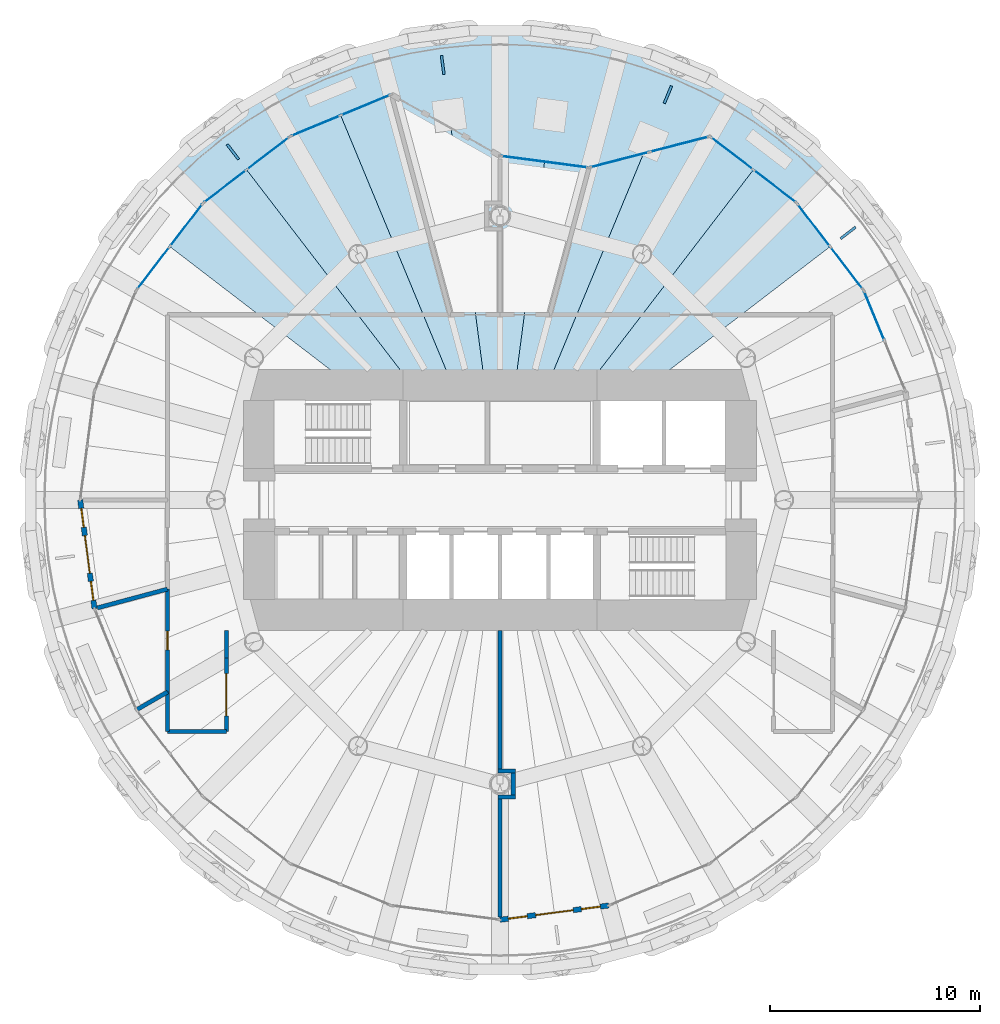
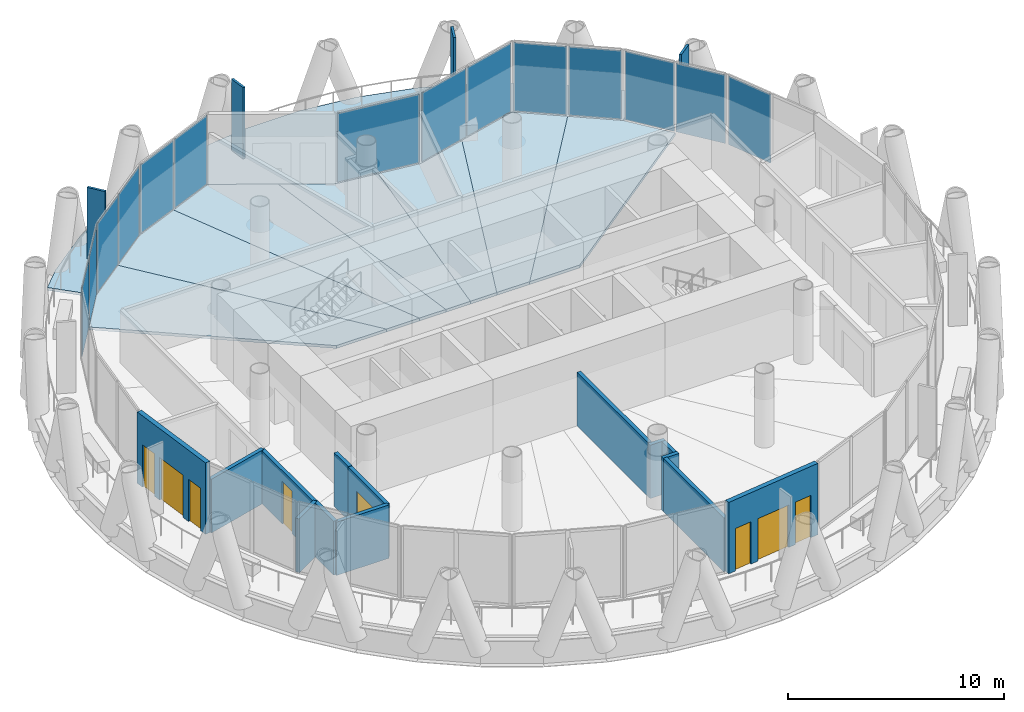
# One storey, part 8 of 14: 18 plates, 14 walls, 8 slabs, 4 doors, 4 windows, 8 openings, 8 elements without a shape of their own.
"""IFC4 building model written with IfcOpenShell, lengths in metres."""

from ifc_helpers import new_model, si_unit, direction, frame, frame_2d, origin, origin_2d, place, context, subcontext, project, spatial, polyline, rectangle, outline, extrude, material, layer, layer_set, type_object, element, fill, aggregate, save


model = new_model("IFC4")

# Units and contexts
model_context = context("Model", 3, precision=1e-05, world=origin(), true_north=direction((0.0, 1.0)))
body_context = subcontext(model_context, "Body", "Model", "MODEL_VIEW")
ifc_project = project(units=[si_unit("LENGTHUNIT", "METRE"), si_unit("AREAUNIT", "SQUARE_METRE"), si_unit("VOLUMEUNIT", "CUBIC_METRE"), si_unit("PLANEANGLEUNIT", "RADIAN"), si_unit("MASSUNIT", "GRAM", prefix="KILO")], contexts=[model_context])

# Site, building, storey
site_placement = place(None, origin())
site = spatial("IfcSite", under=ifc_project, at=site_placement, CompositionType="ELEMENT")
building_placement = place(site_placement, origin())
building = spatial("IfcBuilding", under=site, at=building_placement, Name="Qaws Media Tower", CompositionType="ELEMENT")
storey_placement = place(building_placement, frame((0.0, 0.0, 248.60009765625)))
storey = spatial("IfcBuildingStorey", under=building, at=storey_placement, Name="L57", CompositionType="ELEMENT", Elevation=248.60009765625)

# Slabs
ifc_material_1 = material(Name="Concrete C35/45", Category="concrete")
ifc_layer_1 = layer(ifc_material_1, 0.159912109375)
ifc_layer_set_1 = layer_set([ifc_layer_1], Name="Composite balcony slab 160")
slab_type_1 = type_object("IfcSlabType", Name="Composite balcony slab 160", PredefinedType="FLOOR", material=ifc_layer_set_1)
slab_1_placement = place(storey_placement, frame((0.0, 0.0, -0.16015625)))
element("IfcSlab", 1, at=slab_1_placement, inside=storey, type_object=slab_type_1, Name="S2 balcony slab L57 R04 to R10, movement joints on R04 and R10", PredefinedType="FLOOR", context=body_context, shape_type="SweptSolid", body=[
    extrude(outline(polyline([(45.263671875, 66.8037109375), (47.5830078125, 68.583251953125), (50.11474609375, 70.045166015625), (52.81591796875, 71.163818359375), (55.6396484375, 71.920654296875), (58.5380859375, 72.302001953125), (61.4619140625, 72.302001953125), (64.3603515625, 71.920654296875), (67.18408203125, 71.163818359375), (69.88525390625, 70.045166015625), (72.4169921875, 68.583251953125), (74.736328125, 66.8037109375), (75.77001953125, 65.77001953125), (74.106689453125, 64.106689453125), (69.97509765625, 67.277099609375), (64.231689453125, 65.79296875), (60.0, 66.35009765625), (54.836669921875, 69.270263671875), (50.02490234375, 67.277099609375), (45.893310546875, 64.106689453125), (44.22998046875, 65.77001953125), (45.263671875, 66.8037109375)])), origin(), (0.0, 0.0, 1.0), 0.16015625),
])
ifc_material_2 = material(Name="Concrete C35/45", Category="concrete")
ifc_layer_2 = layer(ifc_material_2, 0.159912109375)
ifc_layer_set_2 = layer_set([ifc_layer_2], Name="Composite floor slab 160")
slab_type_2 = type_object("IfcSlabType", Name="Composite floor slab 160", PredefinedType="FLOOR", material=ifc_layer_set_2)
slab_2_placement = place(storey_placement, frame((0.0, 0.0, -0.16015625)))
element("IfcSlab", 2, at=slab_2_placement, inside=storey, type_object=slab_type_2, Name="S1 floor panel L57 on R04", PredefinedType="FLOOR", context=body_context, shape_type="SweptSolid", body=[
    extrude(outline(polyline([(74.106689453125, 64.106689453125), (75.69189453125, 62.041015625), (66.51611328125, 55.0), (63.836669921875, 55.0), (72.041015625, 65.69189453125), (74.106689453125, 64.106689453125)])), origin(), (0.0, 0.0, 1.0), 0.16015625),
])
slab_3_placement = place(storey_placement, frame((0.0, 0.0, -0.16015625)))
element("IfcSlab", 3, at=slab_3_placement, inside=storey, type_object=slab_type_2, Name="S1 floor panel L57 on R05", PredefinedType="FLOOR", context=body_context, shape_type="SweptSolid", body=[
    extrude(outline(polyline([(69.97509765625, 67.277099609375), (72.041015625, 65.69189453125), (63.836669921875, 55.0), (62.071044921875, 55.0), (66.818603515625, 66.46142578125), (69.97509765625, 67.277099609375)])), origin(), (0.0, 0.0, 1.0), 0.16015625),
])
slab_4_placement = place(storey_placement, frame((0.0, 0.0, -0.16015625)))
element("IfcSlab", 4, at=slab_4_placement, inside=storey, type_object=slab_type_2, Name="S1 floor panel L57 on R06", PredefinedType="FLOOR", context=body_context, shape_type="SweptSolid", body=[
    extrude(outline(polyline([(64.231689453125, 65.79296875), (66.818603515625, 66.46142578125), (62.071044921875, 55.0), (60.658203125, 55.0), (62.11572265625, 66.0712890625), (64.231689453125, 65.79296875)])), origin(), (0.0, 0.0, 1.0), 0.16015625),
])
slab_5_placement = place(storey_placement, frame((0.0, 0.0, -0.16015625)))
element("IfcSlab", 5, at=slab_5_placement, inside=storey, type_object=slab_type_2, Name="S1 floor panel L57 on R07", PredefinedType="FLOOR", context=body_context, shape_type="SweptSolid", body=[
    extrude(outline(polyline([(60.0, 66.35009765625), (62.11572265625, 66.0712890625), (60.658203125, 55.0), (59.341796875, 55.0), (57.67431640625, 67.665283203125), (60.0, 66.35009765625)])), origin(), (0.0, 0.0, 1.0), 0.16015625),
])
slab_6_placement = place(storey_placement, frame((0.0, 0.0, -0.16015625)))
element("IfcSlab", 6, at=slab_6_placement, inside=storey, type_object=slab_type_2, Name="S1 floor panel L57 on R08", PredefinedType="FLOOR", context=body_context, shape_type="SweptSolid", body=[
    extrude(outline(polyline([(54.836669921875, 69.270263671875), (57.67431640625, 67.665283203125), (59.341796875, 55.0), (57.928955078125, 55.0), (52.430908203125, 68.273681640625), (54.836669921875, 69.270263671875)])), origin(), (0.0, 0.0, 1.0), 0.16015625),
])
slab_7_placement = place(storey_placement, frame((0.0, 0.0, -0.16015625)))
element("IfcSlab", 7, at=slab_7_placement, inside=storey, type_object=slab_type_2, Name="S1 floor panel L57 on R09", PredefinedType="FLOOR", context=body_context, shape_type="SweptSolid", body=[
    extrude(outline(polyline([(50.02490234375, 67.277099609375), (52.430908203125, 68.273681640625), (57.928955078125, 55.0), (56.163330078125, 55.0), (47.958984375, 65.69189453125), (50.02490234375, 67.277099609375)])), origin(), (0.0, 0.0, 1.0), 0.16015625),
])
slab_8_placement = place(storey_placement, frame((0.0, 0.0, -0.16015625)))
element("IfcSlab", 8, at=slab_8_placement, inside=storey, type_object=slab_type_2, Name="S1 floor panel L57 on R10", PredefinedType="FLOOR", context=body_context, shape_type="SweptSolid", body=[
    extrude(outline(polyline([(45.893310546875, 64.106689453125), (47.958984375, 65.69189453125), (56.163330078125, 55.0), (53.48388671875, 55.0), (44.30810546875, 62.041015625), (45.893310546875, 64.106689453125)])), origin(), (0.0, 0.0, 1.0), 0.16015625),
])

# Curtain wall, plate
ifc_material_3 = material(Name="Aluminium and clear glass", Category="aluminium")
curtain_wall_type_1 = type_object("IfcCurtainWallType", Name="Unitised curtain wall CW-C", PredefinedType="NOTDEFINED", material=ifc_material_3)
curtain_wall_1_placement = place(storey_placement, origin())
curtain_wall_1 = element("IfcCurtainWall", 9, at=curtain_wall_1_placement, inside=storey, type_object=curtain_wall_type_1, Name="CWC curtain wall L57-02", PredefinedType="NOTDEFINED")
ifc_material_4 = material(Name="Clear laminated double glazing", Category="glass")
ifc_layer_3 = layer(ifc_material_4, 0.031982421875)
ifc_layer_set_3 = layer_set([ifc_layer_3], Name="Curtain wall glass unit 32")
plate_type_1 = type_object("IfcPlateType", Name="Curtain wall glass unit 32", PredefinedType="CURTAIN_PANEL", material=ifc_layer_set_3)
plate_1_placement = place(storey_placement, frame((77.783203125, 58.753662109375, 0.080078125), z_axis=(0.0, 0.0, 1.0), x_axis=(-0.382683365464, 0.923879560223, 0.0)))
plate_1 = element("IfcPlate", 10, at=plate_1_placement, type_object=plate_type_1, Name="CWC panel 2.1", PredefinedType="CURTAIN_PANEL", context=body_context, shape_type="SweptSolid", body=[
    extrude(rectangle(XDim=2.48388671875, YDim=0.031982421875, at=origin_2d()), origin(), (0.0, 0.0, 1.0), 3.8798828125),
])
aggregate(curtain_wall_1, [plate_1])

# Curtain wall, plates
curtain_wall_2_placement = place(storey_placement, origin())
curtain_wall_2 = element("IfcCurtainWall", 11, at=curtain_wall_2_placement, inside=storey, type_object=curtain_wall_type_1, Name="CWC curtain wall L57-03", PredefinedType="NOTDEFINED")
plate_2_placement = place(storey_placement, frame((76.472412109375, 61.02392578125, 0.080078125), z_axis=(0.0, 0.0, 1.0), x_axis=(-0.608761513321, 0.793353275596, 0.0)))
plate_2 = element("IfcPlate", 12, at=plate_2_placement, type_object=plate_type_1, Name="CWC panel 1.1", PredefinedType="CURTAIN_PANEL", context=body_context, shape_type="SweptSolid", body=[
    extrude(rectangle(XDim=2.48388671875, YDim=0.031982421875, at=origin_2d()), origin(), (0.0, 0.0, 1.0), 3.8798828125),
])
plate_3_placement = place(storey_placement, frame((74.91162109375, 63.057861328125, 0.080078125), z_axis=(0.0, 0.0, 1.0), x_axis=(-0.608761513321, 0.793353275596, 0.0)))
plate_3 = element("IfcPlate", 13, at=plate_3_placement, type_object=plate_type_1, Name="CWC panel 2.1", PredefinedType="CURTAIN_PANEL", context=body_context, shape_type="SweptSolid", body=[
    extrude(rectangle(XDim=2.48388671875, YDim=0.031982421875, at=origin_2d()), origin(), (0.0, 0.0, 1.0), 3.8798828125),
])
aggregate(curtain_wall_2, [plate_2, plate_3])

curtain_wall_3_placement = place(storey_placement, origin())
curtain_wall_3 = element("IfcCurtainWall", 14, at=curtain_wall_3_placement, inside=storey, type_object=curtain_wall_type_1, Name="CWC curtain wall L57-04", PredefinedType="NOTDEFINED")
plate_4_placement = place(storey_placement, frame((73.057861328125, 64.91162109375, 0.080078125), z_axis=(0.0, 0.0, 1.0), x_axis=(-0.793353275596, 0.608761513321, 0.0)))
plate_4 = element("IfcPlate", 15, at=plate_4_placement, type_object=plate_type_1, Name="CWC panel 1.1", PredefinedType="CURTAIN_PANEL", context=body_context, shape_type="SweptSolid", body=[
    extrude(rectangle(XDim=2.48388671875, YDim=0.031982421875, at=origin_2d()), origin(), (0.0, 0.0, 1.0), 3.8798828125),
])
plate_5_placement = place(storey_placement, frame((71.02392578125, 66.472412109375, 0.080078125), z_axis=(0.0, 0.0, 1.0), x_axis=(-0.793353275596, 0.608761513321, 0.0)))
plate_5 = element("IfcPlate", 16, at=plate_5_placement, type_object=plate_type_1, Name="CWC panel 2.1", PredefinedType="CURTAIN_PANEL", context=body_context, shape_type="SweptSolid", body=[
    extrude(rectangle(XDim=2.48388671875, YDim=0.031982421875, at=origin_2d()), origin(), (0.0, 0.0, 1.0), 3.8798828125),
])
aggregate(curtain_wall_3, [plate_4, plate_5])

ifc_material_5 = material(Name="Aluminium and clear glass", Category="aluminium")
curtain_wall_type_2 = type_object("IfcCurtainWallType", Name="Loggia curtain wall CW-G", PredefinedType="NOTDEFINED", material=ifc_material_5)
curtain_wall_4_placement = place(storey_placement, origin())
curtain_wall_4 = element("IfcCurtainWall", 17, at=curtain_wall_4_placement, inside=storey, type_object=curtain_wall_type_2, Name="CWG curtain wall L57-05", PredefinedType="NOTDEFINED")
plate_6_placement = place(storey_placement, frame((68.519775390625, 66.901123046875, 0.080078125), z_axis=(0.0, 0.0, 1.0), x_axis=(-0.968188519883, -0.25022188147, 0.0)))
plate_6 = element("IfcPlate", 18, at=plate_6_placement, type_object=plate_type_1, Name="CWG panel 1.1", PredefinedType="CURTAIN_PANEL", context=body_context, shape_type="SweptSolid", body=[
    extrude(rectangle(XDim=2.845947265625, YDim=0.031982421875, at=origin_2d()), origin(), (0.0, 0.0, 1.0), 3.8798828125),
])
plate_7_placement = place(storey_placement, frame((65.686767578125, 66.1689453125, 0.080078125), z_axis=(0.0, 0.0, 1.0), x_axis=(-0.968188519883, -0.25022188147, 0.0)))
plate_7 = element("IfcPlate", 19, at=plate_7_placement, type_object=plate_type_1, Name="CWG panel 2.1", PredefinedType="CURTAIN_PANEL", context=body_context, shape_type="SweptSolid", body=[
    extrude(rectangle(XDim=2.845947265625, YDim=0.031982421875, at=origin_2d()), origin(), (0.0, 0.0, 1.0), 3.8798828125),
])
aggregate(curtain_wall_4, [plate_6, plate_7])

# Curtain wall, plate
curtain_wall_5_placement = place(storey_placement, origin())
curtain_wall_5 = element("IfcCurtainWall", 20, at=curtain_wall_5_placement, inside=storey, type_object=curtain_wall_type_2, Name="CWG curtain wall L57-06", PredefinedType="NOTDEFINED")
plate_8_placement = place(storey_placement, frame((62.115966796875, 66.071533203125, 0.080078125), z_axis=(0.0, 0.0, 1.0), x_axis=(-0.991444851949, 0.130526263807, 0.0)))
plate_8 = element("IfcPlate", 21, at=plate_8_placement, type_object=plate_type_1, Name="CWG panel 1.1", PredefinedType="CURTAIN_PANEL", context=body_context, shape_type="SweptSolid", body=[
    extrude(rectangle(XDim=4.108154296875, YDim=0.031982421875, at=origin_2d()), origin(), (0.0, 0.0, 1.0), 3.8798828125),
])
aggregate(curtain_wall_5, [plate_8])

# Curtain wall, plates
curtain_wall_6_placement = place(storey_placement, origin())
curtain_wall_6 = element("IfcCurtainWall", 22, at=curtain_wall_6_placement, inside=storey, type_object=curtain_wall_type_1, Name="CWC curtain wall L57-08", PredefinedType="NOTDEFINED")
plate_9_placement = place(storey_placement, frame((53.615234375, 68.764404296875, 0.080078125), z_axis=(0.0, 0.0, 1.0), x_axis=(-0.923879560223, -0.382683365464, 0.0)))
plate_9 = element("IfcPlate", 23, at=plate_9_placement, type_object=plate_type_1, Name="CWC panel 1.1", PredefinedType="CURTAIN_PANEL", context=body_context, shape_type="SweptSolid", body=[
    extrude(rectangle(XDim=2.48388671875, YDim=0.031982421875, at=origin_2d()), origin(), (0.0, 0.0, 1.0), 3.8798828125),
])
plate_10_placement = place(storey_placement, frame((51.246337890625, 67.783203125, 0.080078125), z_axis=(0.0, 0.0, 1.0), x_axis=(-0.923879560223, -0.382683365464, 0.0)))
plate_10 = element("IfcPlate", 24, at=plate_10_placement, type_object=plate_type_1, Name="CWC panel 2.1", PredefinedType="CURTAIN_PANEL", context=body_context, shape_type="SweptSolid", body=[
    extrude(rectangle(XDim=2.48388671875, YDim=0.031982421875, at=origin_2d()), origin(), (0.0, 0.0, 1.0), 3.8798828125),
])
aggregate(curtain_wall_6, [plate_9, plate_10])

curtain_wall_7_placement = place(storey_placement, origin())
curtain_wall_7 = element("IfcCurtainWall", 25, at=curtain_wall_7_placement, inside=storey, type_object=curtain_wall_type_1, Name="CWC curtain wall L57-09", PredefinedType="NOTDEFINED")
plate_11_placement = place(storey_placement, frame((48.97607421875, 66.472412109375, 0.080078125), z_axis=(0.0, 0.0, 1.0), x_axis=(-0.793353275596, -0.608761513321, 0.0)))
plate_11 = element("IfcPlate", 26, at=plate_11_placement, type_object=plate_type_1, Name="CWC panel 1.1", PredefinedType="CURTAIN_PANEL", context=body_context, shape_type="SweptSolid", body=[
    extrude(rectangle(XDim=2.48388671875, YDim=0.031982421875, at=origin_2d()), origin(), (0.0, 0.0, 1.0), 3.8798828125),
])
plate_12_placement = place(storey_placement, frame((46.942138671875, 64.91162109375, 0.080078125), z_axis=(0.0, 0.0, 1.0), x_axis=(-0.793353275596, -0.608761513321, 0.0)))
plate_12 = element("IfcPlate", 27, at=plate_12_placement, type_object=plate_type_1, Name="CWC panel 2.1", PredefinedType="CURTAIN_PANEL", context=body_context, shape_type="SweptSolid", body=[
    extrude(rectangle(XDim=2.48388671875, YDim=0.031982421875, at=origin_2d()), origin(), (0.0, 0.0, 1.0), 3.8798828125),
])
aggregate(curtain_wall_7, [plate_11, plate_12])

curtain_wall_8_placement = place(storey_placement, origin())
curtain_wall_8 = element("IfcCurtainWall", 28, at=curtain_wall_8_placement, inside=storey, type_object=curtain_wall_type_1, Name="CWC curtain wall L57-10", PredefinedType="NOTDEFINED")
plate_13_placement = place(storey_placement, frame((45.08837890625, 63.057861328125, 0.080078125), z_axis=(0.0, 0.0, 1.0), x_axis=(-0.608761513321, -0.793353275596, 0.0)))
plate_13 = element("IfcPlate", 29, at=plate_13_placement, type_object=plate_type_1, Name="CWC panel 1.1", PredefinedType="CURTAIN_PANEL", context=body_context, shape_type="SweptSolid", body=[
    extrude(rectangle(XDim=2.48388671875, YDim=0.031982421875, at=origin_2d()), origin(), (0.0, 0.0, 1.0), 3.8798828125),
])
plate_14_placement = place(storey_placement, frame((43.527587890625, 61.02392578125, 0.080078125), z_axis=(0.0, 0.0, 1.0), x_axis=(-0.608761513321, -0.793353275596, 0.0)))
plate_14 = element("IfcPlate", 30, at=plate_14_placement, type_object=plate_type_1, Name="CWC panel 2.1", PredefinedType="CURTAIN_PANEL", context=body_context, shape_type="SweptSolid", body=[
    extrude(rectangle(XDim=2.48388671875, YDim=0.031982421875, at=origin_2d()), origin(), (0.0, 0.0, 1.0), 3.8798828125),
])
aggregate(curtain_wall_8, [plate_13, plate_14])

# Plates
ifc_material_6 = material(Name="Precast concrete screen fin", Category="concrete")
ifc_layer_4 = layer(ifc_material_6, 0.1201171875)
ifc_layer_set_4 = layer_set([ifc_layer_4], Name="Screen fin 120x900")
plate_type_2 = type_object("IfcPlateType", Name="Screen fin 120x900", PredefinedType="USERDEFINED", material=ifc_layer_set_4)
for number, where, z_axis, x_axis, name in (
    (31, (76.54150390625, 62.692626953125, 0.0), (0.0, 0.0, 1.0), (0.793353340291, 0.608761429009, 0.0), "SCR1 screen fin L57-02"),
    (32, (67.97900390625, 69.262939453125, 0.0), (0.0, 0.0, 1.0), (0.382683432365, 0.923879532511, 0.0), "SCR1 screen fin L57-03"),
    (33, (57.278564453125, 70.671630859375, 0.0), (0.0, 0.0, 1.0), (-0.13052619222, 0.991444861374, 0.0), "SCR1 screen fin L57-04"),
    (34, (47.307373046875, 66.54150390625, 0.0), (0.0, 0.0, 1.0), (-0.608761429009, 0.793353340291, 0.0), "SCR1 screen fin L57-05"),
):
    element("IfcPlate", number, at=place(storey_placement, frame(where, z_axis=z_axis, x_axis=x_axis)), inside=storey, type_object=plate_type_2, Name=name, ObjectType="SCREEN", PredefinedType="USERDEFINED", context=body_context, shape_type="SweptSolid", body=[
        extrude(rectangle(XDim=0.89990234375, YDim=0.1201171875, at=origin_2d()), origin(), (0.0, 0.0, 1.0), 4.0400390625),
    ])

# Wall, openings, door, windows
ifc_material_7 = material(Name="Precast concrete, exposed finish", Category="concrete")
ifc_layer_5 = layer(ifc_material_7, 0.25)
ifc_layer_set_5 = layer_set([ifc_layer_5], Name="Balcony door wall 250")
wall_type_1 = type_object("IfcWallType", Name="Balcony door wall 250", PredefinedType="SOLIDWALL", material=ifc_layer_set_5)
wall_1_placement = place(storey_placement, frame((40.050048828125, 50.0, 0.0), z_axis=(0.0, 0.0, 1.0), x_axis=(0.130511507681, -0.991446794519, 0.0)))
wall_1 = element("IfcWall", 35, at=wall_1_placement, inside=storey, type_object=wall_type_1, Name="W264 EW1 balcony door wall L57-13", PredefinedType="SOLIDWALL", context=body_context, shape_type="SweptSolid", body=[
    extrude(rectangle(XDim=5.207763671875, YDim=0.25, at=frame_2d((2.60400390625, 0.0))), origin(), (0.0, 0.0, 1.0), 4.039794921875),
])
opening_1_placement = place(wall_1_placement, frame((1.7041015625, 0.0, 0.0)))
opening_1 = element("IfcOpeningElement", 36, at=opening_1_placement, cuts=wall_1, Name="Opening D7", PredefinedType="OPENING", context=body_context, shape_type="SweptSolid", body=[
    extrude(rectangle(XDim=1.800048828125, YDim=2.39990234375, at=frame_2d((0.89990234375, 1.199951171875))), frame((0.0, 0.135009765625, 0.0), z_axis=(0.0, -1.0, 0.0), x_axis=(1.0, 0.0, 0.0)), (0.0, 0.0, 1.0), 0.27001953125),
])
opening_2_placement = place(wall_1_placement, frame((0.404052734375, 0.0, 0.0)))
opening_2 = element("IfcOpeningElement", 37, at=opening_2_placement, cuts=wall_1, Name="Opening W7", PredefinedType="OPENING", context=body_context, shape_type="SweptSolid", body=[
    extrude(rectangle(XDim=0.89990234375, YDim=2.39990234375, at=frame_2d((0.449951171875, 1.199951171875))), frame((0.0, 0.135009765625, 0.0), z_axis=(0.0, -1.0, 0.0), x_axis=(1.0, 0.0, 0.0)), (0.0, 0.0, 1.0), 0.27001953125),
])
opening_3_placement = place(wall_1_placement, frame((3.904052734375, 0.0, 0.0)))
opening_3 = element("IfcOpeningElement", 38, at=opening_3_placement, cuts=wall_1, Name="Opening W7", PredefinedType="OPENING", context=body_context, shape_type="SweptSolid", body=[
    extrude(rectangle(XDim=0.89990234375, YDim=2.39990234375, at=frame_2d((0.449951171875, 1.199951171875))), frame((0.0, 0.135009765625, 0.0), z_axis=(0.0, -1.0, 0.0), x_axis=(1.0, 0.0, 0.0)), (0.0, 0.0, 1.0), 0.27001953125),
])
ifc_material_8 = material(Name="Aluminium and clear glass", Category="aluminium")
door_type_1 = type_object("IfcDoorType", Name="Balcony door pair 1800", OperationType="DOUBLE_DOOR_SLIDING", PredefinedType="DOOR", material=ifc_material_8)
door_1_placement = place(opening_1_placement, origin())
door_1 = element("IfcDoor", 39, at=door_1_placement, inside=storey, type_object=door_type_1, Name="D7 balcony door L57-13 in wall W264", OperationType="DOUBLE_DOOR_SLIDING", OverallHeight=2.39990234375, OverallWidth=1.800048828125, PredefinedType="DOOR", context=body_context, shape_type="SweptSolid", body=[
    extrude(rectangle(XDim=1.800048828125, YDim=2.39990234375, at=frame_2d((0.89990234375, 1.199951171875))), frame((0.0, 0.02490234375, 0.0), z_axis=(0.0, -1.0, 0.0), x_axis=(1.0, 0.0, 0.0)), (0.0, 0.0, 1.0), 0.050048828125),
])
fill(opening_1, door_1)
ifc_material_9 = material(Name="Aluminium and clear glass", Category="aluminium")
window_type = type_object("IfcWindowType", Name="Balcony side window 900", PartitioningType="SINGLE_PANEL", PredefinedType="WINDOW", material=ifc_material_9)
window_1_placement = place(opening_2_placement, origin())
window_1 = element("IfcWindow", 40, at=window_1_placement, inside=storey, type_object=window_type, Name="W1 balcony side light L57-13L", OverallHeight=2.39990234375, OverallWidth=0.89990234375, PartitioningType="SINGLE_PANEL", PredefinedType="WINDOW", context=body_context, shape_type="SweptSolid", body=[
    extrude(rectangle(XDim=0.89990234375, YDim=2.39990234375, at=frame_2d((0.449951171875, 1.199951171875))), frame((0.0, 0.030029296875, 0.0), z_axis=(0.0, -1.0, 0.0), x_axis=(1.0, 0.0, 0.0)), (0.0, 0.0, 1.0), 0.06005859375),
])
fill(opening_2, window_1)
window_2_placement = place(opening_3_placement, origin())
window_2 = element("IfcWindow", 41, at=window_2_placement, inside=storey, type_object=window_type, Name="W1 balcony side light L57-13R", OverallHeight=2.39990234375, OverallWidth=0.89990234375, PartitioningType="SINGLE_PANEL", PredefinedType="WINDOW", context=body_context, shape_type="SweptSolid", body=[
    extrude(rectangle(XDim=0.89990234375, YDim=2.39990234375, at=frame_2d((0.449951171875, 1.199951171875))), frame((0.0, 0.030029296875, 0.0), z_axis=(0.0, -1.0, 0.0), x_axis=(1.0, 0.0, 0.0)), (0.0, 0.0, 1.0), 0.06005859375),
])
fill(opening_3, window_2)

wall_2_placement = place(storey_placement, frame((60.0, 30.050048828125, 0.0), z_axis=(0.0, 0.0, 1.0), x_axis=(0.991446794519, 0.130511507681, 0.0)))
wall_2 = element("IfcWall", 42, at=wall_2_placement, inside=storey, type_object=wall_type_1, Name="W265 EW1 balcony door wall L57-19", PredefinedType="SOLIDWALL", context=body_context, shape_type="SweptSolid", body=[
    extrude(rectangle(XDim=5.207763671875, YDim=0.25, at=frame_2d((2.60400390625, 0.0))), origin(), (0.0, 0.0, 1.0), 4.039794921875),
])
opening_4_placement = place(wall_2_placement, frame((1.7041015625, 0.0, 0.0)))
opening_4 = element("IfcOpeningElement", 43, at=opening_4_placement, cuts=wall_2, Name="Opening D7", PredefinedType="OPENING", context=body_context, shape_type="SweptSolid", body=[
    extrude(rectangle(XDim=1.800048828125, YDim=2.39990234375, at=frame_2d((0.89990234375, 1.199951171875))), frame((0.0, 0.135009765625, 0.0), z_axis=(0.0, -1.0, 0.0), x_axis=(1.0, 0.0, 0.0)), (0.0, 0.0, 1.0), 0.27001953125),
])
opening_5_placement = place(wall_2_placement, frame((0.404052734375, 0.0, 0.0)))
opening_5 = element("IfcOpeningElement", 44, at=opening_5_placement, cuts=wall_2, Name="Opening W7", PredefinedType="OPENING", context=body_context, shape_type="SweptSolid", body=[
    extrude(rectangle(XDim=0.89990234375, YDim=2.39990234375, at=frame_2d((0.449951171875, 1.199951171875))), frame((0.0, 0.135009765625, 0.0), z_axis=(0.0, -1.0, 0.0), x_axis=(1.0, 0.0, 0.0)), (0.0, 0.0, 1.0), 0.27001953125),
])
opening_6_placement = place(wall_2_placement, frame((3.904052734375, 0.0, 0.0)))
opening_6 = element("IfcOpeningElement", 45, at=opening_6_placement, cuts=wall_2, Name="Opening W7", PredefinedType="OPENING", context=body_context, shape_type="SweptSolid", body=[
    extrude(rectangle(XDim=0.89990234375, YDim=2.39990234375, at=frame_2d((0.449951171875, 1.199951171875))), frame((0.0, 0.135009765625, 0.0), z_axis=(0.0, -1.0, 0.0), x_axis=(1.0, 0.0, 0.0)), (0.0, 0.0, 1.0), 0.27001953125),
])
door_2_placement = place(opening_4_placement, origin())
door_2 = element("IfcDoor", 46, at=door_2_placement, inside=storey, type_object=door_type_1, Name="D7 balcony door L57-19 in wall W265", OperationType="DOUBLE_DOOR_SLIDING", OverallHeight=2.39990234375, OverallWidth=1.800048828125, PredefinedType="DOOR", context=body_context, shape_type="SweptSolid", body=[
    extrude(rectangle(XDim=1.800048828125, YDim=2.39990234375, at=frame_2d((0.89990234375, 1.199951171875))), frame((0.0, 0.02490234375, 0.0), z_axis=(0.0, -1.0, 0.0), x_axis=(1.0, 0.0, 0.0)), (0.0, 0.0, 1.0), 0.050048828125),
])
fill(opening_4, door_2)
window_3_placement = place(opening_5_placement, origin())
window_3 = element("IfcWindow", 47, at=window_3_placement, inside=storey, type_object=window_type, Name="W1 balcony side light L57-19L", OverallHeight=2.39990234375, OverallWidth=0.89990234375, PartitioningType="SINGLE_PANEL", PredefinedType="WINDOW", context=body_context, shape_type="SweptSolid", body=[
    extrude(rectangle(XDim=0.89990234375, YDim=2.39990234375, at=frame_2d((0.449951171875, 1.199951171875))), frame((0.0, 0.030029296875, 0.0), z_axis=(0.0, -1.0, 0.0), x_axis=(1.0, 0.0, 0.0)), (0.0, 0.0, 1.0), 0.06005859375),
])
fill(opening_5, window_3)
window_4_placement = place(opening_6_placement, origin())
window_4 = element("IfcWindow", 48, at=window_4_placement, inside=storey, type_object=window_type, Name="W1 balcony side light L57-19R", OverallHeight=2.39990234375, OverallWidth=0.89990234375, PartitioningType="SINGLE_PANEL", PredefinedType="WINDOW", context=body_context, shape_type="SweptSolid", body=[
    extrude(rectangle(XDim=0.89990234375, YDim=2.39990234375, at=frame_2d((0.449951171875, 1.199951171875))), frame((0.0, 0.030029296875, 0.0), z_axis=(0.0, -1.0, 0.0), x_axis=(1.0, 0.0, 0.0)), (0.0, 0.0, 1.0), 0.06005859375),
])
fill(opening_6, window_4)

# Wall
ifc_material_10 = material(Name="Gypsum board on galvanised metal studs, acoustic double stud, deflection head", Category="gypsum")
ifc_layer_6 = layer(ifc_material_10, 0.199951171875)
ifc_layer_set_6 = layer_set([ifc_layer_6], Name="Room partition 200")
wall_type_2 = type_object("IfcWallType", Name="Room partition 200", PredefinedType="PARTITIONING", material=ifc_layer_set_6)
wall_3_placement = place(storey_placement, frame((47.0, 43.800048828125, 0.0), z_axis=(0.0, 0.0, 1.0), x_axis=(0.0, -1.0, 0.0)))
element("IfcWall", 49, at=wall_3_placement, inside=storey, type_object=wall_type_2, Name="W1570 IW3 partition L57", PredefinedType="PARTITIONING", context=body_context, shape_type="SweptSolid", body=[
    extrude(rectangle(XDim=1.3056640625, YDim=0.199951171875, at=frame_2d((0.65283203125, 0.0))), origin(), (0.0, 0.0, 1.0), 3.039794921875),
])

# Wall, opening, door
wall_4_placement = place(storey_placement, frame((47.0, 42.494384765625, 0.0), z_axis=(0.0, 0.0, 1.0), x_axis=(0.0, -1.0, 0.0)))
wall_4 = element("IfcWall", 50, at=wall_4_placement, inside=storey, type_object=wall_type_2, Name="W1599 IW3 partition L57", PredefinedType="PARTITIONING", context=body_context, shape_type="SweptSolid", body=[
    extrude(rectangle(XDim=3.494384765625, YDim=0.199951171875, at=frame_2d((1.7470703125, 0.0))), origin(), (0.0, 0.0, 1.0), 3.02001953125),
])
opening_7_placement = place(wall_4_placement, frame((0.747314453125, 0.0, 0.0)))
opening_7 = element("IfcOpeningElement", 51, at=opening_7_placement, cuts=wall_4, Name="Opening D6", PredefinedType="OPENING", context=body_context, shape_type="SweptSolid", body=[
    extrude(rectangle(XDim=2.0, YDim=2.10009765625, at=frame_2d((1.0, 1.050048828125))), frame((0.0, 0.10986328125, 0.0), z_axis=(0.0, -1.0, 0.0), x_axis=(1.0, 0.0, 0.0)), (0.0, 0.0, 1.0), 0.219970703125),
])
ifc_material_11 = material(Name="Steel, acoustic, fire rated", Category="steel")
door_type_2 = type_object("IfcDoorType", Name="Room door pair 2000", OperationType="DOUBLE_DOOR_DOUBLE_SWING", PredefinedType="DOOR", material=ifc_material_11)
door_3_placement = place(opening_7_placement, origin())
door_3 = element("IfcDoor", 52, at=door_3_placement, inside=storey, type_object=door_type_2, Name="D6 Tenant office door L57 in wall W1599", OperationType="DOUBLE_DOOR_DOUBLE_SWING", OverallHeight=2.10009765625, OverallWidth=2.0, PredefinedType="DOOR", context=body_context, shape_type="SweptSolid", body=[
    extrude(rectangle(XDim=2.0, YDim=2.10009765625, at=frame_2d((1.0, 1.050048828125))), frame((0.0, 0.02490234375, 0.0), z_axis=(0.0, -1.0, 0.0), x_axis=(1.0, 0.0, 0.0)), (0.0, 0.0, 1.0), 0.050048828125),
])
fill(opening_7, door_3)

# Walls
wall_5_placement = place(storey_placement, frame((47.0, 39.0, 0.0), z_axis=(0.0, 0.0, 1.0), x_axis=(-1.0, 0.0, 0.0)))
element("IfcWall", 53, at=wall_5_placement, inside=storey, type_object=wall_type_2, Name="W1630 IW3 partition L57", PredefinedType="PARTITIONING", context=body_context, shape_type="SweptSolid", body=[
    extrude(rectangle(XDim=2.800048828125, YDim=0.199951171875, at=frame_2d((1.39990234375, 0.0))), origin(), (0.0, 0.0, 1.0), 3.02001953125),
])
wall_6_placement = place(storey_placement, frame((44.199951171875, 39.0, 0.0), z_axis=(0.0, 0.0, 1.0), x_axis=(0.0, 1.0, 0.0)))
element("IfcWall", 54, at=wall_6_placement, inside=storey, type_object=wall_type_2, Name="W1215 IW3 partition L57", PredefinedType="PARTITIONING", context=body_context, shape_type="SweptSolid", body=[
    extrude(rectangle(XDim=1.8779296875, YDim=0.199951171875, at=frame_2d((0.93896484375, 0.0))), origin(), (0.0, 0.0, 1.0), 3.039794921875),
])

# Wall, opening, door
wall_7_placement = place(storey_placement, frame((44.199951171875, 40.8779296875, 0.0), z_axis=(0.0, 0.0, 1.0), x_axis=(0.0, 1.0, 0.0)))
wall_7 = element("IfcWall", 55, at=wall_7_placement, inside=storey, type_object=wall_type_2, Name="W1645 IW3 partition L57", PredefinedType="PARTITIONING", context=body_context, shape_type="SweptSolid", body=[
    extrude(rectangle(XDim=4.888427734375, YDim=0.199951171875, at=frame_2d((2.4443359375, 0.0))), origin(), (0.0, 0.0, 1.0), 3.02001953125),
])
opening_8_placement = place(wall_7_placement, frame((1.994384765625, 0.0, 0.0)))
opening_8 = element("IfcOpeningElement", 56, at=opening_8_placement, cuts=wall_7, Name="Opening D12", PredefinedType="OPENING", context=body_context, shape_type="SweptSolid", body=[
    extrude(rectangle(XDim=0.89990234375, YDim=2.39990234375, at=frame_2d((0.449951171875, 1.199951171875))), frame((0.0, 0.10986328125, 0.0), z_axis=(0.0, -1.0, 0.0), x_axis=(1.0, 0.0, 0.0)), (0.0, 0.0, 1.0), 0.219970703125),
])
ifc_material_12 = material(Name="Timber veneered, full height", Category="wood")
door_type_3 = type_object("IfcDoorType", Name="Office door 900x2400", OperationType="SINGLE_SWING_LEFT", PredefinedType="DOOR", material=ifc_material_12)
door_4_placement = place(opening_8_placement, origin())
door_4 = element("IfcDoor", 57, at=door_4_placement, inside=storey, type_object=door_type_3, Name="D12 Office door L57 in wall W1645", OperationType="SINGLE_SWING_LEFT", OverallHeight=2.39990234375, OverallWidth=0.89990234375, PredefinedType="DOOR", context=body_context, shape_type="SweptSolid", body=[
    extrude(rectangle(XDim=0.89990234375, YDim=2.39990234375, at=frame_2d((0.449951171875, 1.199951171875))), frame((0.0, 0.02490234375, 0.0), z_axis=(0.0, -1.0, 0.0), x_axis=(1.0, 0.0, 0.0)), (0.0, 0.0, 1.0), 0.050048828125),
])
fill(opening_8, door_4)

# Walls
wall_8_placement = place(storey_placement, frame((44.197509765625, 45.765625, 0.0), z_axis=(0.0, 0.0, 1.0), x_axis=(-0.965934785847, -0.258785605263, 0.0)))
element("IfcWall", 58, at=wall_8_placement, inside=storey, type_object=wall_type_2, Name="W1678 IW3 partition L57", PredefinedType="PARTITIONING", context=body_context, shape_type="SweptSolid", body=[
    extrude(rectangle(XDim=3.449951171875, YDim=0.199951171875, at=frame_2d((1.72509765625, 0.0))), origin(), (0.0, 0.0, 1.0), 3.039794921875),
])
wall_9_placement = place(storey_placement, frame((44.20361328125, 40.8798828125, 0.0), z_axis=(0.0, 0.0, 1.0), x_axis=(-0.866039519639, -0.499975549825, 0.0)))
element("IfcWall", 59, at=wall_9_placement, inside=storey, type_object=wall_type_2, Name="W1680 IW3 partition L57", PredefinedType="PARTITIONING", context=body_context, shape_type="SweptSolid", body=[
    extrude(rectangle(XDim=1.669921875, YDim=0.199951171875, at=frame_2d((0.8349609375, 0.0))), origin(), (0.0, 0.0, 1.0), 3.039794921875),
])
for number, where, z_axis, x_axis, name in (
    (60, (59.89990234375, 37.116943359375, 0.0), (0.0, 0.0, 1.0), (1.0, 0.0, 0.0), "W1572 IW3 partition return L57"),
    (61, (59.89990234375, 35.883056640625, 0.0), (0.0, 0.0, 1.0), (1.0, 0.0, 0.0), "W1571 IW3 partition return L57"),
):
    element("IfcWall", number, at=place(storey_placement, frame(where, z_axis=z_axis, x_axis=x_axis)), inside=storey, type_object=wall_type_2, Name=name, PredefinedType="PARTITIONING", context=body_context, shape_type="SweptSolid", body=[
        extrude(rectangle(XDim=0.8271484375, YDim=0.199951171875, at=frame_2d((0.41357421875, 0.0))), origin(), (0.0, 0.0, 1.0), 3.02001953125),
    ])
wall_10_placement = place(storey_placement, frame((60.626953125, 37.01708984375, 0.0), z_axis=(0.0, 0.0, 1.0), x_axis=(0.0, -1.0, 0.0)))
element("IfcWall", 62, at=wall_10_placement, inside=storey, type_object=wall_type_2, Name="W1575 IW3 partition return L57", PredefinedType="PARTITIONING", context=body_context, shape_type="SweptSolid", body=[
    extrude(rectangle(XDim=1.0341796875, YDim=0.199951171875, at=frame_2d((0.51708984375, 0.0))), origin(), (0.0, 0.0, 1.0), 3.02001953125),
])
wall_11_placement = place(storey_placement, frame((60.0, 43.800048828125, 0.0), z_axis=(0.0, 0.0, 1.0), x_axis=(0.0, -1.0, 0.0)))
element("IfcWall", 63, at=wall_11_placement, inside=storey, type_object=wall_type_2, Name="W1540 IW3 partition L57", PredefinedType="PARTITIONING", context=body_context, shape_type="SweptSolid", body=[
    extrude(rectangle(XDim=6.5830078125, YDim=0.199951171875, at=frame_2d((3.29150390625, 0.0))), origin(), (0.0, 0.0, 1.0), 3.039794921875),
])
wall_12_placement = place(storey_placement, frame((60.0, 35.782958984375, 0.0), z_axis=(0.0, 0.0, 1.0), x_axis=(0.0, -1.0, 0.0)))
element("IfcWall", 64, at=wall_12_placement, inside=storey, type_object=wall_type_2, Name="W1682 IW3 partition L57", PredefinedType="PARTITIONING", context=body_context, shape_type="SweptSolid", body=[
    extrude(rectangle(XDim=5.593017578125, YDim=0.199951171875, at=frame_2d((2.79638671875, 0.0))), origin(), (0.0, 0.0, 1.0), 3.039794921875),
])

save(model, "model.ifc")
